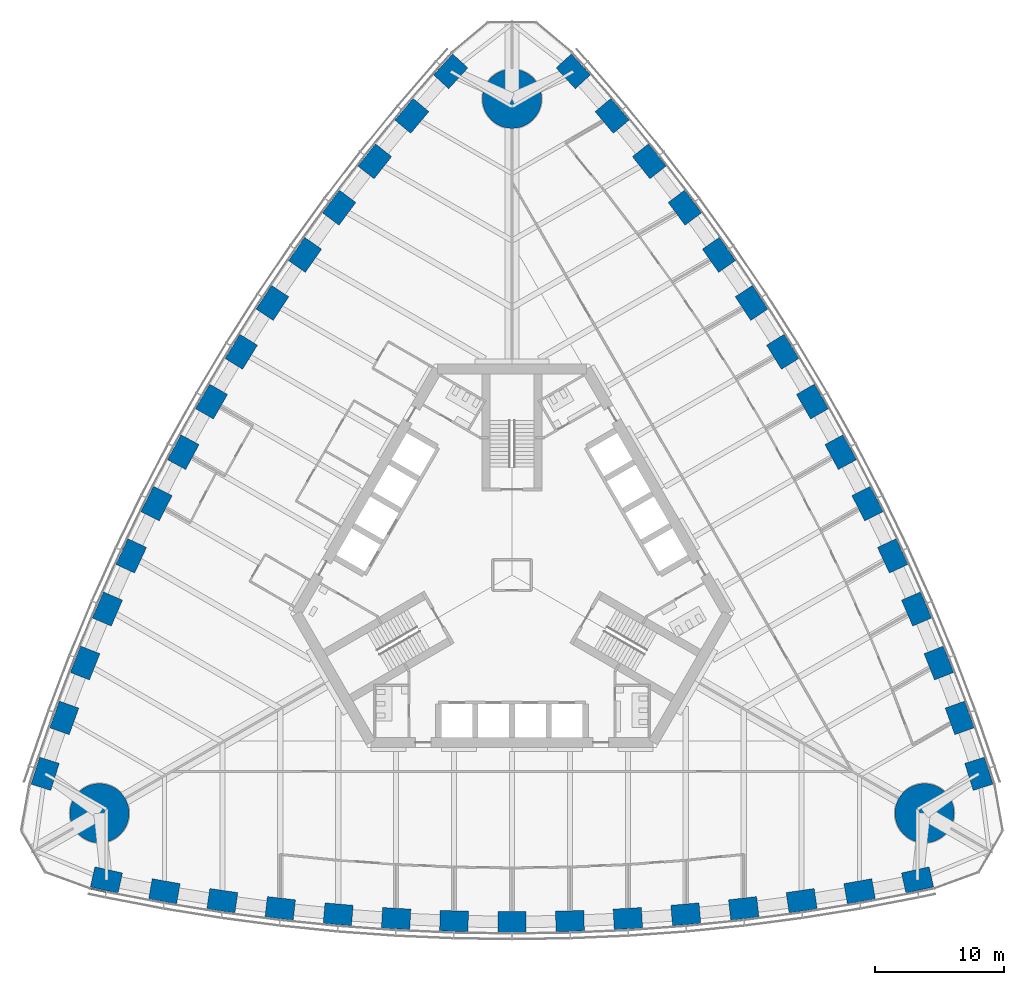
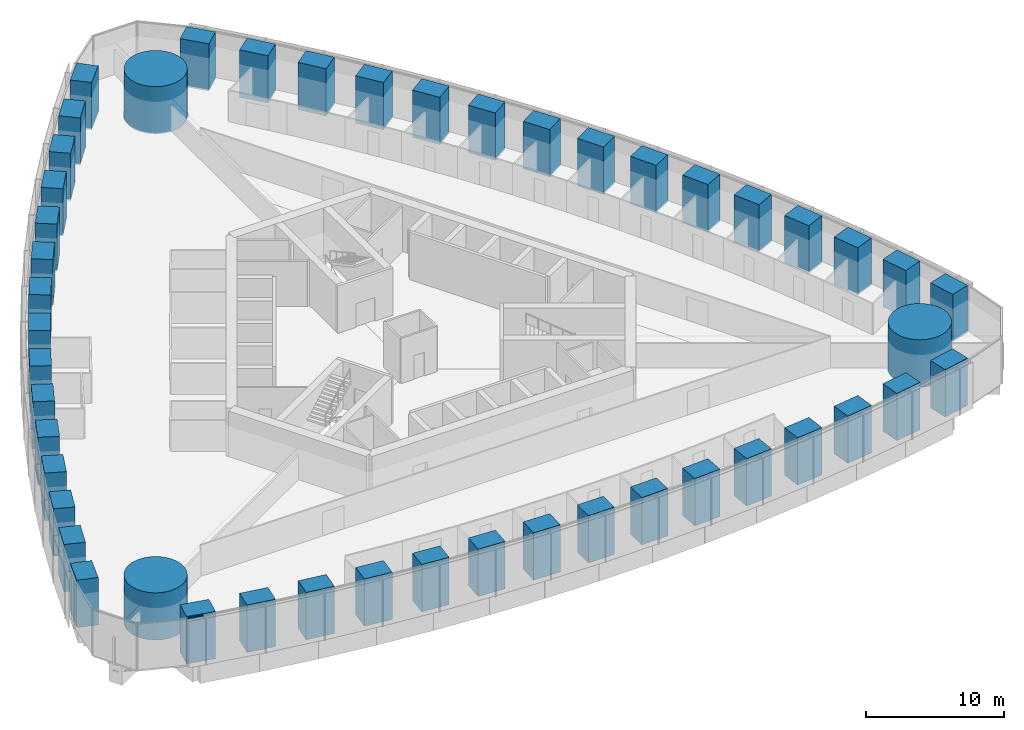
# One storey, part 1 of 18: 48 columns, 1 member, 1 element without a shape of its own.
"""IFC4 building model written with IfcOpenShell, lengths in metres."""

from ifc_helpers import new_model, si_unit, direction, frame, origin, origin_2d, place, context, subcontext, project, spatial, rectangle, circle, extrude, material, material_profile, profile_set, type_object, element, aggregate, save


model = new_model("IFC4")

# Units and contexts
model_context = context("Model", 3, precision=1e-05, world=origin(), true_north=direction((0.0, 1.0)))
body_context = subcontext(model_context, "Body", "Model", "MODEL_VIEW")
ifc_project = project(units=[si_unit("LENGTHUNIT", "METRE"), si_unit("AREAUNIT", "SQUARE_METRE"), si_unit("VOLUMEUNIT", "CUBIC_METRE"), si_unit("PLANEANGLEUNIT", "RADIAN"), si_unit("MASSUNIT", "GRAM", prefix="KILO")], contexts=[model_context])

# Site, building, storey
site_placement = place(None, origin())
site = spatial("IfcSite", under=ifc_project, at=site_placement, CompositionType="ELEMENT")
building_placement = place(site_placement, origin())
building = spatial("IfcBuilding", under=site, at=building_placement, Name="Trefoil Bronze Tower", CompositionType="ELEMENT")
storey_placement = place(building_placement, frame((0.0, 0.0, 62.699951171875)))
storey = spatial("IfcBuildingStorey", under=building, at=storey_placement, Name="L14", CompositionType="ELEMENT", Elevation=62.699951171875)

# Columns
ifc_material_1 = material(Name="Concrete B80", Category="concrete")
ifc_material_profile_1 = material_profile(ifc_material_1, circle(Radius=2.300048828125, at=origin_2d()), Name="RC D4600")
ifc_profile_set_1 = profile_set([ifc_material_profile_1], Name="Concrete B80")
column_type_1 = type_object("IfcColumnType", Name="Mega column RC D4600", PredefinedType="COLUMN", material=ifc_profile_set_1)
for number, where, z_axis, x_axis, name in (
    (1, (32.04296875, -18.5, 0.0), (0.0, 0.0, 1.0), (1.0, 0.0, 0.0), "Mega column K1 L14"),
    (2, (0.0, 37.0, 0.0), (0.0, 0.0, 1.0), (1.0, 0.0, 0.0), "Mega column K2 L14"),
    (3, (-32.04296875, -18.5, 0.0), (0.0, 0.0, 1.0), (1.0, 0.0, 0.0), "Mega column K3 L14"),
):
    element("IfcColumn", number, at=place(storey_placement, frame(where, z_axis=z_axis, x_axis=x_axis)), inside=storey, type_object=column_type_1, Name=name, PredefinedType="COLUMN", context=body_context, shape_type="SweptSolid", body=[
        extrude(circle(Radius=2.300048828125, at=origin_2d()), origin(), (0.0, 0.0, 1.0), 4.199951171875),
    ])
ifc_material_2 = material(Name="Concrete B80", Category="concrete")
ifc_material_profile_2 = material_profile(ifc_material_2, rectangle(XDim=2.199951171875, YDim=1.60009765625, at=origin_2d()), Name="RC 2200x1600")
ifc_profile_set_2 = profile_set([ifc_material_profile_2], Name="Concrete B80")
column_type_2 = type_object("IfcColumnType", Name="Tube column RC 2200x1600", PredefinedType="COLUMN", material=ifc_profile_set_2)
for number, where, z_axis, x_axis, name in (
    (4, (-31.5, -23.684814453125, 0.0), (0.0, 0.0, 1.0), (0.976229647342, -0.216738726697, 0.0), "Tube column F1/-7 L14"),
    (5, (-27.0, -24.56787109375, 0.0), (0.0, 0.0, 1.0), (0.984722470468, -0.174131146426, 0.0), "Tube column F1/-6 L14"),
    (6, (-22.5, -25.29931640625, 0.0), (0.0, 0.0, 1.0), (0.989415676546, -0.145108990094, 0.0), "Tube column F1/-5 L14"),
    (7, (-18.0, -25.895263671875, 0.0), (0.0, 0.0, 1.0), (0.993239048989, -0.116086999973, 0.0), "Tube column F1/-4 L14"),
    (8, (-13.5, -26.35693359375, 0.0), (0.0, 0.0, 1.0), (0.996202620701, -0.087065139456, 0.0), "Tube column F1/-3 L14"),
    (9, (-9.0, -26.68603515625, 0.0), (0.0, 0.0, 1.0), (0.998314062162, -0.058043374207, 0.0), "Tube column F1/-2 L14"),
    (10, (-4.5, -26.883056640625, 0.0), (0.0, 0.0, 1.0), (0.999578782577, -0.029021671584, 0.0), "Tube column F1/-1 L14"),
    (11, (0.0, -26.94873046875, 0.0), (0.0, 0.0, 1.0), (1.0, 0.0, 0.0), "Tube column F1/+0 L14"),
    (12, (4.5, -26.883056640625, 0.0), (0.0, 0.0, 1.0), (0.999578782577, 0.029021671584, 0.0), "Tube column F1/+1 L14"),
    (13, (9.0, -26.68603515625, 0.0), (0.0, 0.0, 1.0), (0.998314062162, 0.058043374207, 0.0), "Tube column F1/+2 L14"),
    (14, (13.5, -26.35693359375, 0.0), (0.0, 0.0, 1.0), (0.996202620701, 0.087065139456, 0.0), "Tube column F1/+3 L14"),
    (15, (18.0, -25.895263671875, 0.0), (0.0, 0.0, 1.0), (0.993239048989, 0.116086999973, 0.0), "Tube column F1/+4 L14"),
    (16, (22.5, -25.29931640625, 0.0), (0.0, 0.0, 1.0), (0.989415676546, 0.145108990094, 0.0), "Tube column F1/+5 L14"),
    (17, (27.0, -24.56787109375, 0.0), (0.0, 0.0, 1.0), (0.984722470468, 0.174131146426, 0.0), "Tube column F1/+6 L14"),
    (18, (31.5, -23.684814453125, 0.0), (0.0, 0.0, 1.0), (0.976229647342, 0.216738726697, 0.0), "Tube column F1/+7 L14"),
    (19, (36.26171875, -15.4375, 0.0), (0.0, 0.0, 1.0), (-0.300413580368, 0.953809037874, 0.0), "Tube column F2/-7 L14"),
    (20, (34.7763671875, -11.0986328125, 0.0), (0.0, 0.0, 1.0), (-0.341559238839, 0.939860248316, 0.0), "Tube column F2/-6 L14"),
    (21, (33.159912109375, -6.8359375, 0.0), (0.0, 0.0, 1.0), (-0.369039766534, 0.929413605838, 0.0), "Tube column F2/-5 L14"),
    (22, (31.42578125, -2.640869140625, 0.0), (0.0, 0.0, 1.0), (-0.396085233469, 0.918213748442, 0.0), "Tube column F2/-4 L14"),
    (23, (29.575927734375, 1.487060546875, 0.0), (0.0, 0.0, 1.0), (-0.422700687798, 0.906269346572, 0.0), "Tube column F2/-3 L14"),
    (24, (27.61083984375, 5.548828125, 0.0), (0.0, 0.0, 1.0), (-0.448889994497, 0.893587025891, 0.0), "Tube column F2/-2 L14"),
    (25, (25.531494140625, 9.54443359375, 0.0), (0.0, 0.0, 1.0), (-0.474655886437, 0.880171454588, 0.0), "Tube column F2/-1 L14"),
    (26, (23.33837890625, 13.474365234375, 0.0), (0.0, 0.0, 1.0), (-0.5, 0.866025403784, 0.0), "Tube column F2/+0 L14"),
    (27, (21.031494140625, 17.338623046875, 0.0), (0.0, 0.0, 1.0), (-0.524922896141, 0.851149783004, 0.0), "Tube column F2/+1 L14"),
    (28, (18.61083984375, 21.13720703125, 0.0), (0.0, 0.0, 1.0), (-0.549424067665, 0.835543651684, 0.0), "Tube column F2/+2 L14"),
    (29, (16.075927734375, 24.869873046875, 0.0), (0.0, 0.0, 1.0), (-0.573501932903, 0.819204207116, 0.0), "Tube column F2/+3 L14"),
    (30, (13.42578125, 28.5361328125, 0.0), (0.0, 0.0, 1.0), (-0.59715381552, 0.802126748469, 0.0), "Tube column F2/+4 L14"),
    (31, (10.659912109375, 32.13525390625, 0.0), (0.0, 0.0, 1.0), (-0.620375910011, 0.784304615744, 0.0), "Tube column F2/+5 L14"),
    (32, (7.7763671875, 35.666748046875, 0.0), (0.0, 0.0, 1.0), (-0.643163231629, 0.765729101889, 0.0), "Tube column F2/+6 L14"),
    (33, (4.76171875, 39.122314453125, 0.0), (0.0, 0.0, 1.0), (-0.675816066975, 0.737070311177, 0.0), "Tube column F2/+7 L14"),
    (34, (-4.76171875, 39.122314453125, 0.0), (0.0, 0.0, 1.0), (-0.675816066975, -0.737070311177, 0.0), "Tube column F3/-7 L14"),
    (35, (-7.7763671875, 35.666748046875, 0.0), (0.0, 0.0, 1.0), (-0.643163231629, -0.765729101889, 0.0), "Tube column F3/-6 L14"),
    (36, (-10.659912109375, 32.13525390625, 0.0), (0.0, 0.0, 1.0), (-0.620375910011, -0.784304615744, 0.0), "Tube column F3/-5 L14"),
    (37, (-13.42578125, 28.5361328125, 0.0), (0.0, 0.0, 1.0), (-0.59715381552, -0.802126748469, 0.0), "Tube column F3/-4 L14"),
    (38, (-16.075927734375, 24.869873046875, 0.0), (0.0, 0.0, 1.0), (-0.573501932903, -0.819204207116, 0.0), "Tube column F3/-3 L14"),
    (39, (-18.61083984375, 21.13720703125, 0.0), (0.0, 0.0, 1.0), (-0.549424067665, -0.835543651684, 0.0), "Tube column F3/-2 L14"),
    (40, (-21.031494140625, 17.338623046875, 0.0), (0.0, 0.0, 1.0), (-0.524922896141, -0.851149783004, 0.0), "Tube column F3/-1 L14"),
    (41, (-23.33837890625, 13.474365234375, 0.0), (0.0, 0.0, 1.0), (-0.5, -0.866025403784, 0.0), "Tube column F3/+0 L14"),
    (42, (-25.531494140625, 9.54443359375, 0.0), (0.0, 0.0, 1.0), (-0.474655886437, -0.880171454588, 0.0), "Tube column F3/+1 L14"),
    (43, (-27.61083984375, 5.548828125, 0.0), (0.0, 0.0, 1.0), (-0.448889994497, -0.893587025891, 0.0), "Tube column F3/+2 L14"),
    (44, (-29.575927734375, 1.487060546875, 0.0), (0.0, 0.0, 1.0), (-0.422700687798, -0.906269346572, 0.0), "Tube column F3/+3 L14"),
    (45, (-31.42578125, -2.640869140625, 0.0), (0.0, 0.0, 1.0), (-0.396085233469, -0.918213748442, 0.0), "Tube column F3/+4 L14"),
    (46, (-33.159912109375, -6.8359375, 0.0), (0.0, 0.0, 1.0), (-0.369039766534, -0.929413605838, 0.0), "Tube column F3/+5 L14"),
    (47, (-34.7763671875, -11.0986328125, 0.0), (0.0, 0.0, 1.0), (-0.341559238839, -0.939860248316, 0.0), "Tube column F3/+6 L14"),
    (48, (-36.26171875, -15.4375, 0.0), (0.0, 0.0, 1.0), (-0.300413580368, -0.953809037874, 0.0), "Tube column F3/+7 L14"),
):
    element("IfcColumn", number, at=place(storey_placement, frame(where, z_axis=z_axis, x_axis=x_axis)), inside=storey, type_object=column_type_2, Name=name, PredefinedType="COLUMN", context=body_context, shape_type="SweptSolid", body=[
        extrude(rectangle(XDim=2.199951171875, YDim=1.60009765625, at=origin_2d()), origin(), (0.0, 0.0, 1.0), 4.199951171875),
    ])

# Curtain wall, member
ifc_material_3 = material(Name="Tinted solar-control glass", Category="glass")
curtain_wall_type = type_object("IfcCurtainWallType", Name="Bronze office curtain wall", PredefinedType="USERDEFINED", material=ifc_material_3)
curtain_wall_placement = place(storey_placement, origin())
curtain_wall = element("IfcCurtainWall", 49, at=curtain_wall_placement, inside=storey, type_object=curtain_wall_type, Name="CW-A L14 F1", ObjectType="CURTAIN WALL", PredefinedType="USERDEFINED")
ifc_material_4 = material(Name="Bronze-finish aluminium", Category="aluminium")
ifc_material_profile_3 = material_profile(ifc_material_4, rectangle(XDim=0.1201171875, YDim=0.10009765625, at=origin_2d()), Name="CW-A transom")
ifc_profile_set_3 = profile_set([ifc_material_profile_3], Name="Bronze-finish aluminium")
member_type = type_object("IfcMemberType", Name="Bronze office curtain wall transom", PredefinedType="USERDEFINED", material=ifc_profile_set_3)
member_placement = place(storey_placement, frame((-32.743896484375, -24.354736328125, 4.130126953125), z_axis=(0.978266371807, -0.207352129942, 0.0), x_axis=(0.207352129942, 0.978266371807, 0.0)))
member = element("IfcMember", 50, at=member_placement, type_object=member_type, Name="CW-A L14 F1 transom 1", ObjectType="TRANSOM", PredefinedType="USERDEFINED", context=body_context, shape_type="SweptSolid", body=[
    extrude(rectangle(XDim=0.1201171875, YDim=0.10009765625, at=origin_2d()), origin(), (0.0, 0.0, 1.0), 1.21044921875),
])
aggregate(curtain_wall, [member])

save(model, "model.ifc")
